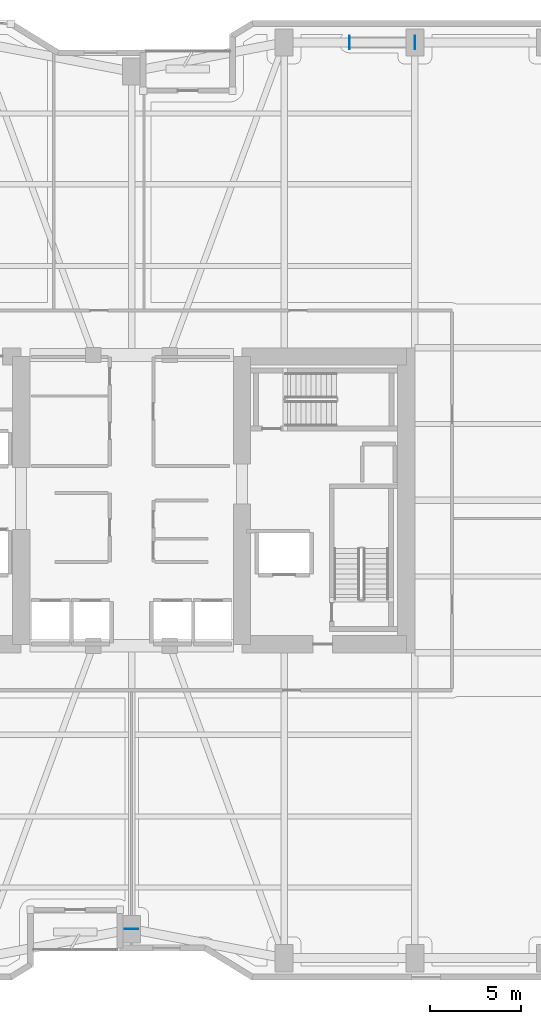
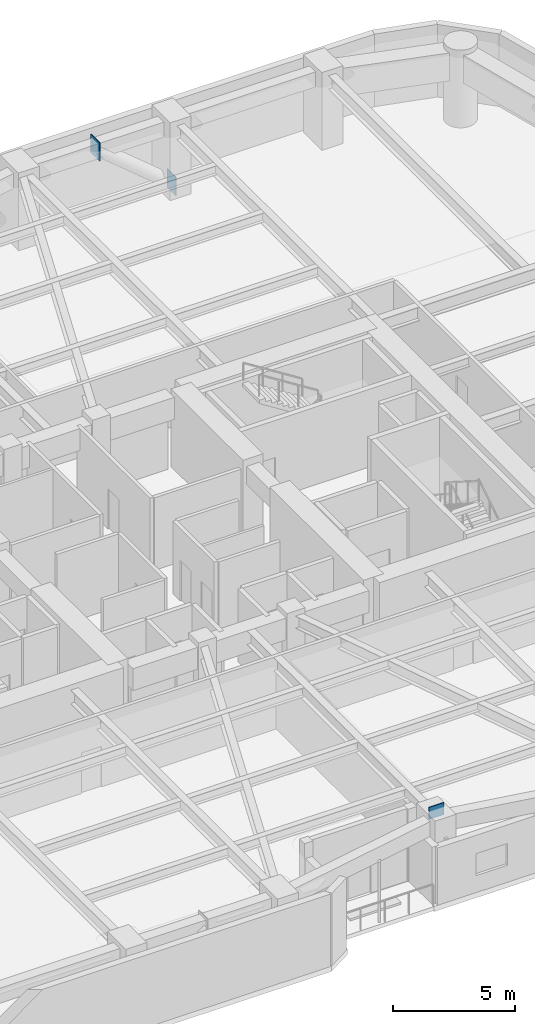
# One storey, part 21 of 29: 3 plates.
"""IFC4 building model written with IfcOpenShell, lengths in metres."""

from ifc_helpers import new_model, si_unit, direction, frame, origin, origin_2d, place, context, subcontext, project, spatial, rectangle, extrude, material, layer, layer_set, type_object, element, save


model = new_model("IFC4")

# Units and contexts
model_context = context("Model", 3, precision=1e-05, world=origin(), true_north=direction((0.0, 1.0)))
body_context = subcontext(model_context, "Body", "Model", "MODEL_VIEW")
ifc_project = project(units=[si_unit("LENGTHUNIT", "METRE"), si_unit("AREAUNIT", "SQUARE_METRE"), si_unit("VOLUMEUNIT", "CUBIC_METRE"), si_unit("PLANEANGLEUNIT", "RADIAN"), si_unit("MASSUNIT", "GRAM", prefix="KILO")], contexts=[model_context])

# Site, building, storey
site_placement = place(None, origin())
site = spatial("IfcSite", under=ifc_project, at=site_placement, CompositionType="ELEMENT")
building_placement = place(site_placement, origin())
building = spatial("IfcBuilding", under=site, at=building_placement, Name="Kiyonajd Concourse Tower", CompositionType="ELEMENT")
storey_placement = place(building_placement, frame((0.0, 0.0, 29.39990234375)))
storey = spatial("IfcBuildingStorey", under=building, at=storey_placement, Name="L08", CompositionType="ELEMENT", Elevation=29.39990234375)

# Plates
ifc_material = material(Name="Steel ASTM A572 Grade 50", Category="steel")
ifc_layer_1 = layer(ifc_material, 0.028076171875)
ifc_layer_set_1 = layer_set([ifc_layer_1], Name="Steel ASTM A572 Grade 50")
plate_type_1 = type_object("IfcPlateType", Name="PL-CAP-450", PredefinedType="USERDEFINED", material=ifc_layer_set_1)
for number, where, z_axis, x_axis, name in (
    (1, (63.6083984375, 61.199951171875, -0.17333984375), (0.0, 0.0, 1.0), (1.0, 0.0, 0.0), "L08 Hollow Brace End Cap Plate PBN"),
    (2, (59.991455078125, 61.199951171875, 2.83056640625), (0.0, 0.0, 1.0), (-1.0, 0.0, 0.0), "L08 Hollow Brace Top Cap Plate PBN"),
):
    element("IfcPlate", number, at=place(storey_placement, frame(where, z_axis=z_axis, x_axis=x_axis)), inside=storey, type_object=plate_type_1, Name=name, ObjectType="CAP PLATE", PredefinedType="USERDEFINED", context=body_context, shape_type="SweptSolid", body=[
        extrude(rectangle(XDim=0.035888671875, YDim=0.72998046875, at=origin_2d()), origin(), (0.0, 0.0, 1.0), 0.93310546875),
    ])
ifc_layer_2 = layer(ifc_material, 0.60009765625)
ifc_layer_set_2 = layer_set([ifc_layer_2], Name="Steel ASTM A572 Grade 50")
plate_type_2 = type_object("IfcPlateType", Name="PL-GUS-KN1", PredefinedType="USERDEFINED", material=ifc_layer_set_2)
plate_placement = place(storey_placement, frame((48.0, 12.39990234375, 3.5), z_axis=(0.0, 0.0, 1.0), x_axis=(1.0, 0.0, 0.0)))
element("IfcPlate", 3, at=plate_placement, inside=storey, type_object=plate_type_2, Name="Structural Node Assembly Gusset KN3", ObjectType="GUSSET PLATE", PredefinedType="USERDEFINED", context=body_context, shape_type="SweptSolid", body=[
    extrude(rectangle(XDim=0.719970703125, YDim=0.0400390625, at=origin_2d()), origin(), (0.0, 0.0, 1.0), 0.60009765625),
])

save(model, "model.ifc")
